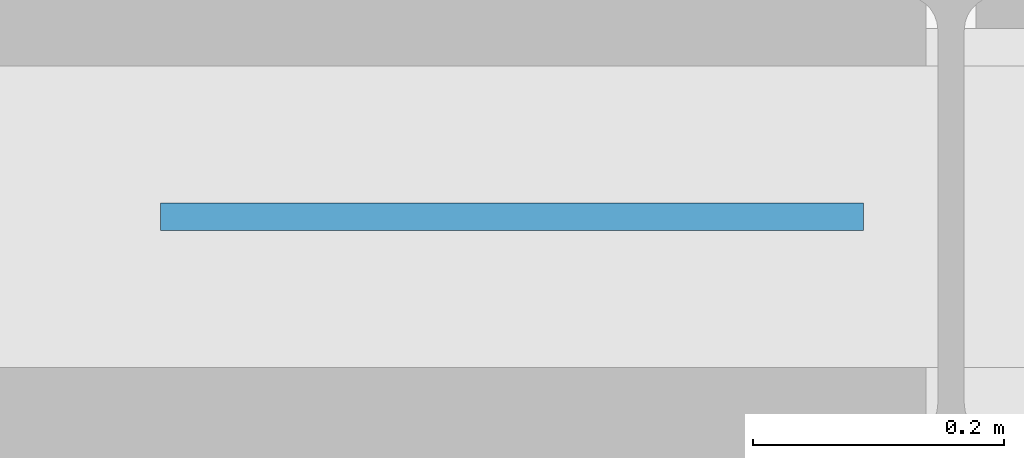
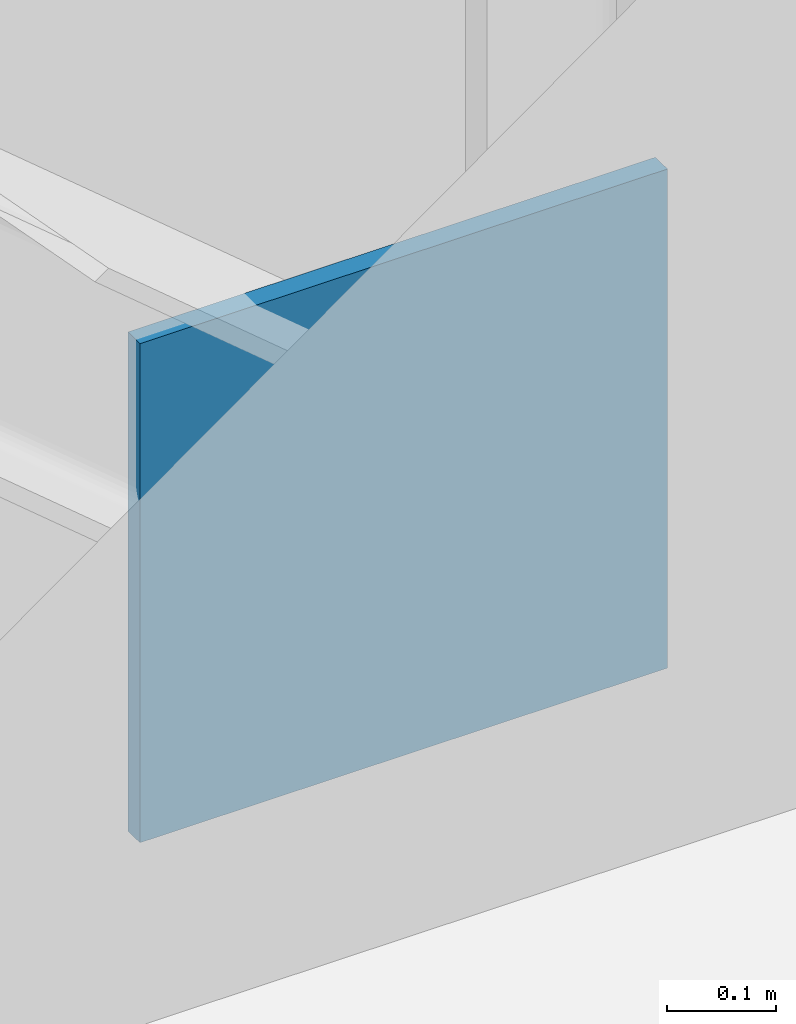
# One storey, part 57 of 78: 1 plate.
"""IFC4 building model written with IfcOpenShell, lengths in metres."""

from ifc_helpers import new_model, si_unit, direction, frame, origin, origin_2d, place, context, subcontext, project, spatial, rectangle, extrude, material, layer, layer_set, type_object, element, save


model = new_model("IFC4")

# Units and contexts
model_context = context("Model", 3, precision=1e-05, world=origin(), true_north=direction((0.0, 1.0)))
body_context = subcontext(model_context, "Body", "Model", "MODEL_VIEW")
ifc_project = project(units=[si_unit("LENGTHUNIT", "METRE"), si_unit("AREAUNIT", "SQUARE_METRE"), si_unit("VOLUMEUNIT", "CUBIC_METRE"), si_unit("PLANEANGLEUNIT", "RADIAN"), si_unit("MASSUNIT", "GRAM", prefix="KILO")], contexts=[model_context])

# Site, building, storey
site_placement = place(None, origin())
site = spatial("IfcSite", under=ifc_project, at=site_placement, CompositionType="ELEMENT")
building_placement = place(site_placement, origin())
building = spatial("IfcBuilding", under=site, at=building_placement, Name="Alderhovde Museum", CompositionType="ELEMENT")
storey_placement = place(building_placement, origin())
storey = spatial("IfcBuildingStorey", under=building, at=storey_placement, Name="L00", CompositionType="ELEMENT", Elevation=0.0)

# Plate
ifc_material = material(Name="Steel S355J2", Category="steel")
ifc_layer = layer(ifc_material, 0.02197265625)
ifc_layer_set = layer_set([ifc_layer], Name="Steel S355J2")
plate_type = type_object("IfcPlateType", Name="PLT-GUSSET-22", PredefinedType="USERDEFINED", material=ifc_layer_set)
plate_placement = place(storey_placement, frame((134.050048828125, 96.0, 0.02001953125), z_axis=(0.0, 0.0, 1.0), x_axis=(1.0, 0.0, 0.0)))
element("IfcPlate", 1, at=plate_placement, inside=storey, type_object=plate_type, Name="L00 Brace End Gusset Plate BR-V5-N-BR", ObjectType="GUSSET PLATE", PredefinedType="USERDEFINED", context=body_context, shape_type="SweptSolid", body=[
    extrude(rectangle(XDim=0.56005859375, YDim=0.02197265625, at=origin_2d()), origin(), (0.0, 0.0, 1.0), 0.56005859375),
])

save(model, "model.ifc")
